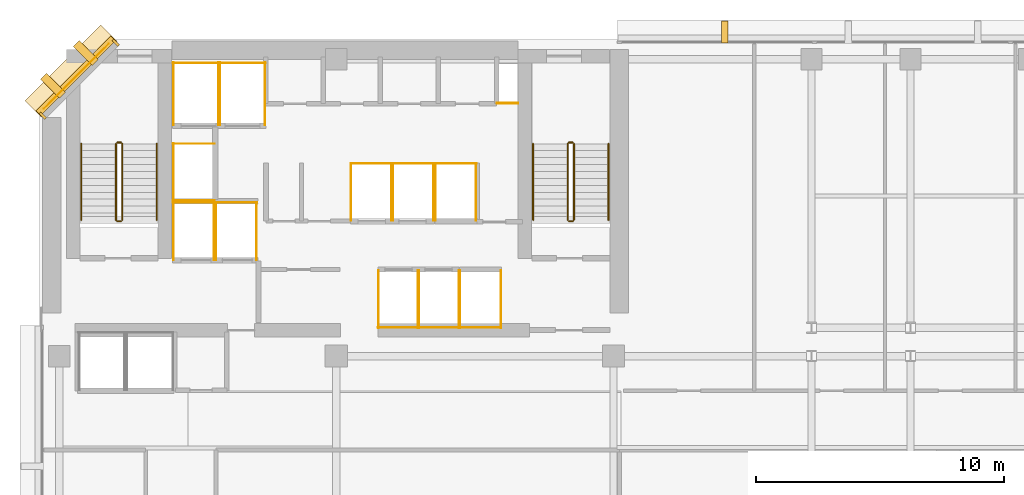
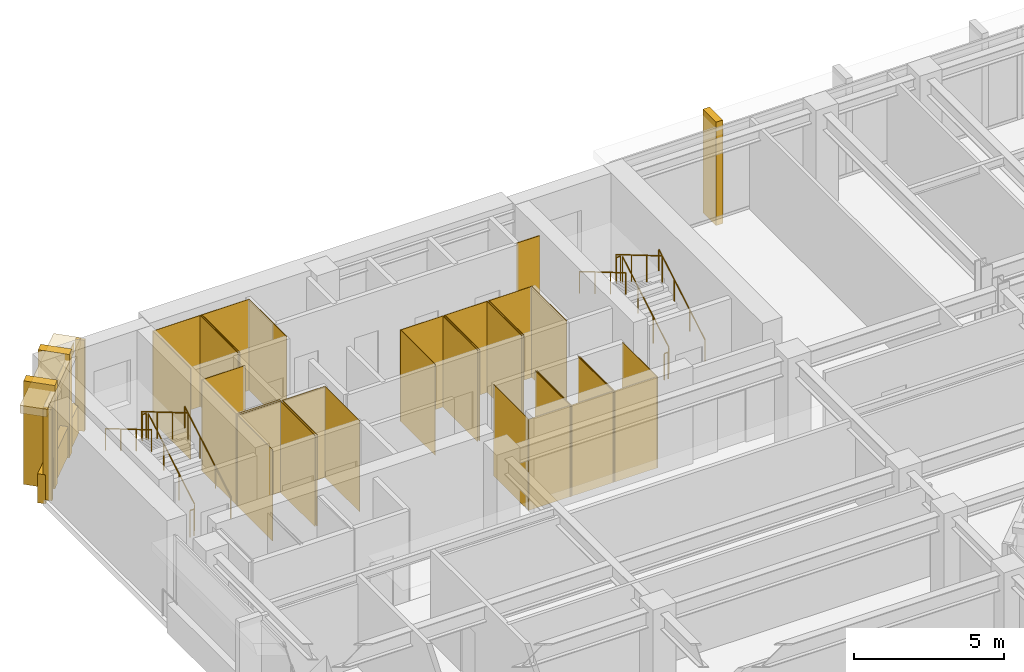
# One storey, part 10 of 11: 42 coverings, 12 railings.
"""IFC4 building model written with IfcOpenShell, lengths in metres."""

from ifc_helpers import new_model, si_unit, direction, frame, origin, origin_2d, place, context, subcontext, project, spatial, polyline, rectangle, circle, outline, extrude, material, layer, layer_set, type_object, element, save


model = new_model("IFC4")

# Units and contexts
model_context = context("Model", 3, precision=1e-05, world=origin(), true_north=direction((0.0, 1.0)))
body_context = subcontext(model_context, "Body", "Model", "MODEL_VIEW")
ifc_project = project(units=[si_unit("LENGTHUNIT", "METRE"), si_unit("AREAUNIT", "SQUARE_METRE"), si_unit("VOLUMEUNIT", "CUBIC_METRE"), si_unit("PLANEANGLEUNIT", "RADIAN"), si_unit("MASSUNIT", "GRAM", prefix="KILO")], contexts=[model_context])

# Site, building, storey
site_placement = place(None, origin())
site = spatial("IfcSite", under=ifc_project, at=site_placement, CompositionType="ELEMENT")
building_placement = place(site_placement, origin())
building = spatial("IfcBuilding", under=site, at=building_placement, Name="Kefirva Bronze Tower", CompositionType="ELEMENT")
storey_placement = place(building_placement, frame((0.0, 0.0, 187.43994140625)))
storey = spatial("IfcBuildingStorey", under=building, at=storey_placement, Name="L45", CompositionType="ELEMENT", Elevation=187.43994140625)

# Coverings
ifc_material_1 = material(Name="Bronze anodised aluminium", Category="aluminium")
ifc_layer_1 = layer(ifc_material_1, 0.02001953125, Name="Bronze anodised aluminium")
ifc_layer_set_1 = layer_set([ifc_layer_1], Name="Bronze anodised aluminium")
covering_type_1 = type_object("IfcCoveringType", Name="Anodised Bronze Spandrel Cladding 20mm", PredefinedType="CLADDING", material=ifc_layer_set_1)
covering_1_placement = place(storey_placement, frame((1.492919921875, 44.507080078125, 3.2900390625), z_axis=(0.0, 0.0, 1.0), x_axis=(-0.707106781187, -0.707106781187, 0.0)))
element("IfcCovering", 1, at=covering_1_placement, inside=storey, type_object=covering_type_1, Name="L45 Bronze Spandrel Cladding 5", PredefinedType="CLADDING", context=body_context, shape_type="SweptSolid", body=[
    extrude(rectangle(XDim=3.719482421875, YDim=0.02001953125, at=origin_2d()), origin(), (0.0, 0.0, 1.0), 0.39990234375),
])
for number, where, z_axis, x_axis, name in (
    (2, (3.08837890625, 45.862060546875, 0.0), (0.0, 0.0, 1.0), (-0.707106781187, -0.707106781187, 0.0), "L45 Facade Joint Closure Panel 5S"),
    (3, (0.137939453125, 42.91162109375, 0.0), (0.0, 0.0, 1.0), (-0.707106781187, -0.707106781187, 0.0), "L45 Facade Joint Closure Panel 5E"),
):
    element("IfcCovering", number, at=place(storey_placement, frame(where, z_axis=z_axis, x_axis=x_axis)), inside=storey, type_object=covering_type_1, Name=name, PredefinedType="CLADDING", context=body_context, shape_type="SweptSolid", body=[
        extrude(rectangle(XDim=0.10009765625, YDim=0.320068359375, at=origin_2d()), origin(), (0.0, 0.0, 1.0), 3.7099609375),
    ])
covering_2_placement = place(storey_placement, frame((1.4716796875, 44.5283203125, -0.15966796875), z_axis=(0.0, 0.0, 1.0), x_axis=(-0.707106781187, -0.707106781187, 0.0)))
element("IfcCovering", 4, at=covering_2_placement, inside=storey, type_object=covering_type_1, Name="L45 Streamline Horizontal Spandrel Band 9", PredefinedType="CLADDING", context=body_context, shape_type="SweptSolid", body=[
    extrude(rectangle(XDim=4.28271484375, YDim=0.280029296875, at=origin_2d()), origin(), (0.0, 0.0, 1.0), 1.179931640625),
])
covering_3_placement = place(storey_placement, origin())
element("IfcCovering", 5, at=covering_3_placement, inside=storey, type_object=covering_type_1, Name="L45 Lift FF1 Hoistway Liner N", PredefinedType="CLADDING", context=body_context, shape_type="SweptSolid", body=[
    extrude(outline(polyline([(5.39990234375, 39.389892578125), (7.080078125, 39.389892578125), (7.080078125, 39.409912109375), (5.39990234375, 39.409912109375), (5.39990234375, 39.389892578125)])), origin(), (0.0, 0.0, 1.0), 3.7099609375),
])
covering_4_placement = place(storey_placement, origin())
element("IfcCovering", 6, at=covering_4_placement, inside=storey, type_object=covering_type_1, Name="L45 Lift FF1 Hoistway Liner W", PredefinedType="CLADDING", context=body_context, shape_type="SweptSolid", body=[
    extrude(outline(polyline([(5.409912109375, 37.080078125), (5.429931640625, 37.080078125), (5.429931640625, 39.419921875), (5.409912109375, 39.419921875), (5.409912109375, 37.080078125)])), origin(), (0.0, 0.0, 1.0), 3.7099609375),
])
covering_5_placement = place(storey_placement, origin())
element("IfcCovering", 7, at=covering_5_placement, inside=storey, type_object=covering_type_1, Name="L45 Lift FF1 Hoistway Liner E", PredefinedType="CLADDING", context=body_context, shape_type="SweptSolid", body=[
    extrude(outline(polyline([(7.050048828125, 37.080078125), (7.070068359375, 37.080078125), (7.070068359375, 39.419921875), (7.050048828125, 39.419921875), (7.050048828125, 37.080078125)])), origin(), (0.0, 0.0, 1.0), 3.7099609375),
])
covering_6_placement = place(storey_placement, origin())
element("IfcCovering", 8, at=covering_6_placement, inside=storey, type_object=covering_type_1, Name="L45 Lift FF2 Hoistway Liner N", PredefinedType="CLADDING", context=body_context, shape_type="SweptSolid", body=[
    extrude(outline(polyline([(7.1201171875, 39.389892578125), (8.800048828125, 39.389892578125), (8.800048828125, 39.409912109375), (7.1201171875, 39.409912109375), (7.1201171875, 39.389892578125)])), origin(), (0.0, 0.0, 1.0), 3.7099609375),
])
covering_7_placement = place(storey_placement, origin())
element("IfcCovering", 9, at=covering_7_placement, inside=storey, type_object=covering_type_1, Name="L45 Lift FF2 Hoistway Liner W", PredefinedType="CLADDING", context=body_context, shape_type="SweptSolid", body=[
    extrude(outline(polyline([(7.1298828125, 37.080078125), (7.14990234375, 37.080078125), (7.14990234375, 39.419921875), (7.1298828125, 39.419921875), (7.1298828125, 37.080078125)])), origin(), (0.0, 0.0, 1.0), 3.7099609375),
])
covering_8_placement = place(storey_placement, origin())
element("IfcCovering", 10, at=covering_8_placement, inside=storey, type_object=covering_type_1, Name="L45 Lift FF2 Hoistway Liner E", PredefinedType="CLADDING", context=body_context, shape_type="SweptSolid", body=[
    extrude(outline(polyline([(8.77001953125, 37.080078125), (8.7900390625, 37.080078125), (8.7900390625, 39.419921875), (8.77001953125, 39.419921875), (8.77001953125, 37.080078125)])), origin(), (0.0, 0.0, 1.0), 3.7099609375),
])
covering_9_placement = place(storey_placement, origin())
element("IfcCovering", 11, at=covering_9_placement, inside=storey, type_object=covering_type_1, Name="L45 Lift SV1 Hoistway Liner N", PredefinedType="CLADDING", context=body_context, shape_type="SweptSolid", body=[
    extrude(outline(polyline([(5.39990234375, 45.0400390625), (7.260009765625, 45.0400390625), (7.260009765625, 45.06005859375), (5.39990234375, 45.06005859375), (5.39990234375, 45.0400390625)])), origin(), (0.0, 0.0, 1.0), 3.7099609375),
])
covering_10_placement = place(storey_placement, origin())
element("IfcCovering", 12, at=covering_10_placement, inside=storey, type_object=covering_type_1, Name="L45 Lift SV1 Hoistway Liner W", PredefinedType="CLADDING", context=body_context, shape_type="SweptSolid", body=[
    extrude(outline(polyline([(5.409912109375, 42.530029296875), (5.429931640625, 42.530029296875), (5.429931640625, 45.070068359375), (5.409912109375, 45.070068359375), (5.409912109375, 42.530029296875)])), origin(), (0.0, 0.0, 1.0), 3.7099609375),
])
covering_11_placement = place(storey_placement, origin())
element("IfcCovering", 13, at=covering_11_placement, inside=storey, type_object=covering_type_1, Name="L45 Lift SV1 Hoistway Liner E", PredefinedType="CLADDING", context=body_context, shape_type="SweptSolid", body=[
    extrude(outline(polyline([(7.22998046875, 42.530029296875), (7.25, 42.530029296875), (7.25, 45.070068359375), (7.22998046875, 45.070068359375), (7.22998046875, 42.530029296875)])), origin(), (0.0, 0.0, 1.0), 3.7099609375),
])
covering_12_placement = place(storey_placement, origin())
element("IfcCovering", 14, at=covering_12_placement, inside=storey, type_object=covering_type_1, Name="L45 Lift SV2 Hoistway Liner N", PredefinedType="CLADDING", context=body_context, shape_type="SweptSolid", body=[
    extrude(outline(polyline([(7.280029296875, 45.0400390625), (9.139892578125, 45.0400390625), (9.139892578125, 45.06005859375), (7.280029296875, 45.06005859375), (7.280029296875, 45.0400390625)])), origin(), (0.0, 0.0, 1.0), 3.7099609375),
])
covering_13_placement = place(storey_placement, origin())
element("IfcCovering", 15, at=covering_13_placement, inside=storey, type_object=covering_type_1, Name="L45 Lift SV2 Hoistway Liner W", PredefinedType="CLADDING", context=body_context, shape_type="SweptSolid", body=[
    extrude(outline(polyline([(7.2900390625, 42.530029296875), (7.31005859375, 42.530029296875), (7.31005859375, 45.070068359375), (7.2900390625, 45.070068359375), (7.2900390625, 42.530029296875)])), origin(), (0.0, 0.0, 1.0), 3.7099609375),
])
covering_14_placement = place(storey_placement, origin())
element("IfcCovering", 16, at=covering_14_placement, inside=storey, type_object=covering_type_1, Name="L45 Lift SV2 Hoistway Liner E", PredefinedType="CLADDING", context=body_context, shape_type="SweptSolid", body=[
    extrude(outline(polyline([(9.110107421875, 42.530029296875), (9.1298828125, 42.530029296875), (9.1298828125, 45.070068359375), (9.110107421875, 45.070068359375), (9.110107421875, 42.530029296875)])), origin(), (0.0, 0.0, 1.0), 3.7099609375),
])
covering_15_placement = place(storey_placement, origin())
element("IfcCovering", 17, at=covering_15_placement, inside=storey, type_object=covering_type_1, Name="L45 Lift MP1 Hoistway Liner S", PredefinedType="CLADDING", context=body_context, shape_type="SweptSolid", body=[
    extrude(outline(polyline([(13.679931640625, 34.340087890625), (15.320068359375, 34.340087890625), (15.320068359375, 34.360107421875), (13.679931640625, 34.360107421875), (13.679931640625, 34.340087890625)])), origin(), (0.0, 0.0, 1.0), 3.7099609375),
])
covering_16_placement = place(storey_placement, origin())
element("IfcCovering", 18, at=covering_16_placement, inside=storey, type_object=covering_type_1, Name="L45 Lift MP1 Hoistway Liner W", PredefinedType="CLADDING", context=body_context, shape_type="SweptSolid", body=[
    extrude(outline(polyline([(13.68994140625, 34.330078125), (13.7099609375, 34.330078125), (13.7099609375, 36.669921875), (13.68994140625, 36.669921875), (13.68994140625, 34.330078125)])), origin(), (0.0, 0.0, 1.0), 3.7099609375),
])
covering_17_placement = place(storey_placement, origin())
element("IfcCovering", 19, at=covering_17_placement, inside=storey, type_object=covering_type_1, Name="L45 Lift MP1 Hoistway Liner E", PredefinedType="CLADDING", context=body_context, shape_type="SweptSolid", body=[
    extrude(outline(polyline([(15.2900390625, 34.330078125), (15.31005859375, 34.330078125), (15.31005859375, 36.669921875), (15.2900390625, 36.669921875), (15.2900390625, 34.330078125)])), origin(), (0.0, 0.0, 1.0), 3.7099609375),
])
covering_18_placement = place(storey_placement, origin())
element("IfcCovering", 20, at=covering_18_placement, inside=storey, type_object=covering_type_1, Name="L45 Lift MP2 Hoistway Liner S", PredefinedType="CLADDING", context=body_context, shape_type="SweptSolid", body=[
    extrude(outline(polyline([(15.330078125, 34.340087890625), (16.969970703125, 34.340087890625), (16.969970703125, 34.360107421875), (15.330078125, 34.360107421875), (15.330078125, 34.340087890625)])), origin(), (0.0, 0.0, 1.0), 3.7099609375),
])
covering_19_placement = place(storey_placement, origin())
element("IfcCovering", 21, at=covering_19_placement, inside=storey, type_object=covering_type_1, Name="L45 Lift MP2 Hoistway Liner W", PredefinedType="CLADDING", context=body_context, shape_type="SweptSolid", body=[
    extrude(outline(polyline([(15.340087890625, 34.330078125), (15.360107421875, 34.330078125), (15.360107421875, 36.669921875), (15.340087890625, 36.669921875), (15.340087890625, 34.330078125)])), origin(), (0.0, 0.0, 1.0), 3.7099609375),
])
covering_20_placement = place(storey_placement, origin())
element("IfcCovering", 22, at=covering_20_placement, inside=storey, type_object=covering_type_1, Name="L45 Lift MP2 Hoistway Liner E", PredefinedType="CLADDING", context=body_context, shape_type="SweptSolid", body=[
    extrude(outline(polyline([(16.93994140625, 34.330078125), (16.9599609375, 34.330078125), (16.9599609375, 36.669921875), (16.93994140625, 36.669921875), (16.93994140625, 34.330078125)])), origin(), (0.0, 0.0, 1.0), 3.7099609375),
])
covering_21_placement = place(storey_placement, origin())
element("IfcCovering", 23, at=covering_21_placement, inside=storey, type_object=covering_type_1, Name="L45 Lift MP3 Hoistway Liner N", PredefinedType="CLADDING", context=body_context, shape_type="SweptSolid", body=[
    extrude(outline(polyline([(12.580078125, 40.969970703125), (14.25, 40.969970703125), (14.25, 40.989990234375), (12.580078125, 40.989990234375), (12.580078125, 40.969970703125)])), origin(), (0.0, 0.0, 1.0), 3.7099609375),
])
covering_22_placement = place(storey_placement, origin())
element("IfcCovering", 24, at=covering_22_placement, inside=storey, type_object=covering_type_1, Name="L45 Lift MP3 Hoistway Liner W", PredefinedType="CLADDING", context=body_context, shape_type="SweptSolid", body=[
    extrude(outline(polyline([(12.590087890625, 38.659912109375), (12.610107421875, 38.659912109375), (12.610107421875, 41.0), (12.590087890625, 41.0), (12.590087890625, 38.659912109375)])), origin(), (0.0, 0.0, 1.0), 3.7099609375),
])
covering_23_placement = place(storey_placement, origin())
element("IfcCovering", 25, at=covering_23_placement, inside=storey, type_object=covering_type_1, Name="L45 Lift MP3 Hoistway Liner E", PredefinedType="CLADDING", context=body_context, shape_type="SweptSolid", body=[
    extrude(outline(polyline([(14.219970703125, 38.659912109375), (14.239990234375, 38.659912109375), (14.239990234375, 41.0), (14.219970703125, 41.0), (14.219970703125, 38.659912109375)])), origin(), (0.0, 0.0, 1.0), 3.7099609375),
])
covering_24_placement = place(storey_placement, origin())
element("IfcCovering", 26, at=covering_24_placement, inside=storey, type_object=covering_type_1, Name="L45 Lift MP4 Hoistway Liner N", PredefinedType="CLADDING", context=body_context, shape_type="SweptSolid", body=[
    extrude(outline(polyline([(14.280029296875, 40.969970703125), (15.949951171875, 40.969970703125), (15.949951171875, 40.989990234375), (14.280029296875, 40.989990234375), (14.280029296875, 40.969970703125)])), origin(), (0.0, 0.0, 1.0), 3.7099609375),
])
covering_25_placement = place(storey_placement, origin())
element("IfcCovering", 27, at=covering_25_placement, inside=storey, type_object=covering_type_1, Name="L45 Lift MP4 Hoistway Liner W", PredefinedType="CLADDING", context=body_context, shape_type="SweptSolid", body=[
    extrude(outline(polyline([(14.2900390625, 38.659912109375), (14.31005859375, 38.659912109375), (14.31005859375, 41.0), (14.2900390625, 41.0), (14.2900390625, 38.659912109375)])), origin(), (0.0, 0.0, 1.0), 3.7099609375),
])
covering_26_placement = place(storey_placement, origin())
element("IfcCovering", 28, at=covering_26_placement, inside=storey, type_object=covering_type_1, Name="L45 Lift MP4 Hoistway Liner E", PredefinedType="CLADDING", context=body_context, shape_type="SweptSolid", body=[
    extrude(outline(polyline([(15.919921875, 38.659912109375), (15.93994140625, 38.659912109375), (15.93994140625, 41.0), (15.919921875, 41.0), (15.919921875, 38.659912109375)])), origin(), (0.0, 0.0, 1.0), 3.7099609375),
])
covering_27_placement = place(storey_placement, origin())
element("IfcCovering", 29, at=covering_27_placement, inside=storey, type_object=covering_type_1, Name="L45 Lift HP1 Hoistway Liner S", PredefinedType="CLADDING", context=body_context, shape_type="SweptSolid", body=[
    extrude(outline(polyline([(16.97998046875, 34.340087890625), (18.669921875, 34.340087890625), (18.669921875, 34.360107421875), (16.97998046875, 34.360107421875), (16.97998046875, 34.340087890625)])), origin(), (0.0, 0.0, 1.0), 3.7099609375),
])
covering_28_placement = place(storey_placement, origin())
element("IfcCovering", 30, at=covering_28_placement, inside=storey, type_object=covering_type_1, Name="L45 Lift HP1 Hoistway Liner W", PredefinedType="CLADDING", context=body_context, shape_type="SweptSolid", body=[
    extrude(outline(polyline([(16.989990234375, 34.330078125), (17.010009765625, 34.330078125), (17.010009765625, 36.669921875), (16.989990234375, 36.669921875), (16.989990234375, 34.330078125)])), origin(), (0.0, 0.0, 1.0), 3.7099609375),
])
covering_29_placement = place(storey_placement, origin())
element("IfcCovering", 31, at=covering_29_placement, inside=storey, type_object=covering_type_1, Name="L45 Lift HP1 Hoistway Liner E", PredefinedType="CLADDING", context=body_context, shape_type="SweptSolid", body=[
    extrude(outline(polyline([(18.639892578125, 34.330078125), (18.659912109375, 34.330078125), (18.659912109375, 36.669921875), (18.639892578125, 36.669921875), (18.639892578125, 34.330078125)])), origin(), (0.0, 0.0, 1.0), 3.7099609375),
])
covering_30_placement = place(storey_placement, origin())
element("IfcCovering", 32, at=covering_30_placement, inside=storey, type_object=covering_type_1, Name="L45 Lift HP2 Hoistway Liner N", PredefinedType="CLADDING", context=body_context, shape_type="SweptSolid", body=[
    extrude(outline(polyline([(15.97998046875, 40.969970703125), (17.669921875, 40.969970703125), (17.669921875, 40.989990234375), (15.97998046875, 40.989990234375), (15.97998046875, 40.969970703125)])), origin(), (0.0, 0.0, 1.0), 3.7099609375),
])
covering_31_placement = place(storey_placement, origin())
element("IfcCovering", 33, at=covering_31_placement, inside=storey, type_object=covering_type_1, Name="L45 Lift HP2 Hoistway Liner W", PredefinedType="CLADDING", context=body_context, shape_type="SweptSolid", body=[
    extrude(outline(polyline([(15.989990234375, 38.659912109375), (16.010009765625, 38.659912109375), (16.010009765625, 41.0), (15.989990234375, 41.0), (15.989990234375, 38.659912109375)])), origin(), (0.0, 0.0, 1.0), 3.7099609375),
])
covering_32_placement = place(storey_placement, origin())
element("IfcCovering", 34, at=covering_32_placement, inside=storey, type_object=covering_type_1, Name="L45 Lift HP2 Hoistway Liner E", PredefinedType="CLADDING", context=body_context, shape_type="SweptSolid", body=[
    extrude(outline(polyline([(17.639892578125, 38.659912109375), (17.659912109375, 38.659912109375), (17.659912109375, 41.0), (17.639892578125, 41.0), (17.639892578125, 38.659912109375)])), origin(), (0.0, 0.0, 1.0), 3.7099609375),
])
covering_33_placement = place(storey_placement, origin())
element("IfcCovering", 35, at=covering_33_placement, inside=storey, type_object=covering_type_1, Name="L45 Lift HP3 Hoistway Liner N", PredefinedType="CLADDING", context=body_context, shape_type="SweptSolid", body=[
    extrude(outline(polyline([(5.39990234375, 41.77001953125), (7.080078125, 41.77001953125), (7.080078125, 41.7900390625), (5.39990234375, 41.7900390625), (5.39990234375, 41.77001953125)])), origin(), (0.0, 0.0, 1.0), 3.7099609375),
])
covering_34_placement = place(storey_placement, origin())
element("IfcCovering", 36, at=covering_34_placement, inside=storey, type_object=covering_type_1, Name="L45 Lift HP3 Hoistway Liner S", PredefinedType="CLADDING", context=body_context, shape_type="SweptSolid", body=[
    extrude(outline(polyline([(5.39990234375, 39.469970703125), (7.080078125, 39.469970703125), (7.080078125, 39.489990234375), (5.39990234375, 39.489990234375), (5.39990234375, 39.469970703125)])), origin(), (0.0, 0.0, 1.0), 3.7099609375),
])
covering_35_placement = place(storey_placement, origin())
element("IfcCovering", 37, at=covering_35_placement, inside=storey, type_object=covering_type_1, Name="L45 Lift HP3 Hoistway Liner W", PredefinedType="CLADDING", context=body_context, shape_type="SweptSolid", body=[
    extrude(outline(polyline([(5.409912109375, 39.4599609375), (5.429931640625, 39.4599609375), (5.429931640625, 41.800048828125), (5.409912109375, 41.800048828125), (5.409912109375, 39.4599609375)])), origin(), (0.0, 0.0, 1.0), 3.7099609375),
])
covering_36_placement = place(storey_placement, origin())
element("IfcCovering", 38, at=covering_36_placement, inside=storey, type_object=covering_type_1, Name="L45 Core MEP Riser Shaft Liner South", PredefinedType="CLADDING", context=body_context, shape_type="SweptSolid", body=[
    extrude(outline(polyline([(18.47998046875, 43.39990234375), (19.360107421875, 43.39990234375), (19.360107421875, 43.429931640625), (18.47998046875, 43.429931640625), (18.47998046875, 43.39990234375)])), origin(), (0.0, 0.0, 1.0), 3.7099609375),
])

# Railings
ifc_material_2 = material(Name="Stainless steel 316", Category="steel")
railing_type_1 = type_object("IfcRailingType", Name="Interior Stair Guardrail 1100mm", PredefinedType="GUARDRAIL", material=ifc_material_2)
railing_1_placement = place(storey_placement, frame((3.35009765625, 38.699951171875, 0.1650390625)))
element("IfcRailing", 39, at=railing_1_placement, inside=storey, type_object=railing_type_1, Name="L45 ST-1 stair guard 1", PredefinedType="GUARDRAIL", context=body_context, shape_type="SweptSolid", body=[
    extrude(circle(Radius=0.02392578125, at=origin_2d()), frame((0.0, 0.0, 1.076171875), z_axis=(0.0, 0.861551262678, 0.507670583921), x_axis=(-1.0, 0.0, 0.0)), (0.0, 0.0, 1.0), 3.574951171875),
    extrude(circle(Radius=0.02099609375, at=origin_2d()), origin(), (0.0, 0.0, 1.0), 1.052001953125),
    extrude(circle(Radius=0.02099609375, at=origin_2d()), frame((0.0, 1.026611328125, 0.60498046875)), (0.0, 0.0, 1.0), 1.052001953125),
    extrude(circle(Radius=0.02099609375, at=origin_2d()), frame((0.0, 2.053466796875, 1.2099609375)), (0.0, 0.0, 1.0), 1.052001953125),
    extrude(circle(Radius=0.02099609375, at=origin_2d()), frame((0.0, 3.080078125, 1.81494140625)), (0.0, 0.0, 1.0), 1.052001953125),
])
railing_2_placement = place(storey_placement, frame((3.300048828125, 41.830078125, 1.97998046875)))
element("IfcRailing", 40, at=railing_2_placement, inside=storey, type_object=railing_type_1, Name="L45 ST-1 stair guard 2", PredefinedType="GUARDRAIL", context=body_context, shape_type="SweptSolid", body=[
    extrude(circle(Radius=0.02392578125, at=origin_2d()), frame((0.0, 0.0, 1.076171875), z_axis=(-1.0, 0.0, 0.0), x_axis=(0.0, -1.0, 0.0)), (0.0, 0.0, 1.0), 0.150146484375),
    extrude(circle(Radius=0.02099609375, at=origin_2d()), origin(), (0.0, 0.0, 1.0), 1.052001953125),
    extrude(circle(Radius=0.02099609375, at=origin_2d()), frame((-0.150146484375, 0.0, 0.0)), (0.0, 0.0, 1.0), 1.052001953125),
])
railing_3_placement = place(storey_placement, frame((3.10009765625, 41.780029296875, 2.14501953125)))
element("IfcRailing", 41, at=railing_3_placement, inside=storey, type_object=railing_type_1, Name="L45 ST-1 stair guard 3", PredefinedType="GUARDRAIL", context=body_context, shape_type="SweptSolid", body=[
    extrude(circle(Radius=0.02392578125, at=origin_2d()), frame((0.0, 0.0, 1.076171875), z_axis=(0.0, -0.861551262678, 0.507670583921), x_axis=(1.0, 0.0, 0.0)), (0.0, 0.0, 1.0), 3.574951171875),
    extrude(circle(Radius=0.02099609375, at=origin_2d()), origin(), (0.0, 0.0, 1.0), 1.052001953125),
    extrude(circle(Radius=0.02099609375, at=origin_2d()), frame((0.0, -1.026611328125, 0.60498046875)), (0.0, 0.0, 1.0), 1.052001953125),
    extrude(circle(Radius=0.02099609375, at=origin_2d()), frame((0.0, -2.053466796875, 1.2099609375)), (0.0, 0.0, 1.0), 1.052001953125),
    extrude(circle(Radius=0.02099609375, at=origin_2d()), frame((0.0, -3.080078125, 1.81494140625)), (0.0, 0.0, 1.0), 1.052001953125),
])
railing_4_placement = place(storey_placement, frame((3.300048828125, 38.64990234375, 0.0)))
element("IfcRailing", 42, at=railing_4_placement, inside=storey, type_object=railing_type_1, Name="L45 ST-1 stair guard 4", PredefinedType="GUARDRAIL", context=body_context, shape_type="SweptSolid", body=[
    extrude(circle(Radius=0.02392578125, at=origin_2d()), frame((0.0, 0.0, 1.076171875), z_axis=(-1.0, 0.0, 0.0), x_axis=(0.0, -1.0, 0.0)), (0.0, 0.0, 1.0), 0.150146484375),
    extrude(circle(Radius=0.02099609375, at=origin_2d()), origin(), (0.0, 0.0, 1.0), 1.052001953125),
    extrude(circle(Radius=0.02099609375, at=origin_2d()), frame((-0.150146484375, 0.0, 0.0)), (0.0, 0.0, 1.0), 1.052001953125),
])
railing_5_placement = place(storey_placement, frame((21.60009765625, 38.699951171875, 0.1650390625)))
element("IfcRailing", 43, at=railing_5_placement, inside=storey, type_object=railing_type_1, Name="L45 ST-2 stair guard 1", PredefinedType="GUARDRAIL", context=body_context, shape_type="SweptSolid", body=[
    extrude(circle(Radius=0.02392578125, at=origin_2d()), frame((0.0, 0.0, 1.076171875), z_axis=(0.0, 0.861551262678, 0.507670583921), x_axis=(-1.0, 0.0, 0.0)), (0.0, 0.0, 1.0), 3.574951171875),
    extrude(circle(Radius=0.02099609375, at=origin_2d()), origin(), (0.0, 0.0, 1.0), 1.052001953125),
    extrude(circle(Radius=0.02099609375, at=origin_2d()), frame((0.0, 1.026611328125, 0.60498046875)), (0.0, 0.0, 1.0), 1.052001953125),
    extrude(circle(Radius=0.02099609375, at=origin_2d()), frame((0.0, 2.053466796875, 1.2099609375)), (0.0, 0.0, 1.0), 1.052001953125),
    extrude(circle(Radius=0.02099609375, at=origin_2d()), frame((0.0, 3.080078125, 1.81494140625)), (0.0, 0.0, 1.0), 1.052001953125),
])
railing_6_placement = place(storey_placement, frame((21.550048828125, 41.830078125, 1.97998046875)))
element("IfcRailing", 44, at=railing_6_placement, inside=storey, type_object=railing_type_1, Name="L45 ST-2 stair guard 2", PredefinedType="GUARDRAIL", context=body_context, shape_type="SweptSolid", body=[
    extrude(circle(Radius=0.02392578125, at=origin_2d()), frame((0.0, 0.0, 1.076171875), z_axis=(-1.0, 0.0, 0.0), x_axis=(0.0, -1.0, 0.0)), (0.0, 0.0, 1.0), 0.150146484375),
    extrude(circle(Radius=0.02099609375, at=origin_2d()), origin(), (0.0, 0.0, 1.0), 1.052001953125),
    extrude(circle(Radius=0.02099609375, at=origin_2d()), frame((-0.150146484375, 0.0, 0.0)), (0.0, 0.0, 1.0), 1.052001953125),
])
railing_7_placement = place(storey_placement, frame((21.35009765625, 41.780029296875, 2.14501953125)))
element("IfcRailing", 45, at=railing_7_placement, inside=storey, type_object=railing_type_1, Name="L45 ST-2 stair guard 3", PredefinedType="GUARDRAIL", context=body_context, shape_type="SweptSolid", body=[
    extrude(circle(Radius=0.02392578125, at=origin_2d()), frame((0.0, 0.0, 1.076171875), z_axis=(0.0, -0.861551262678, 0.507670583921), x_axis=(1.0, 0.0, 0.0)), (0.0, 0.0, 1.0), 3.574951171875),
    extrude(circle(Radius=0.02099609375, at=origin_2d()), origin(), (0.0, 0.0, 1.0), 1.052001953125),
    extrude(circle(Radius=0.02099609375, at=origin_2d()), frame((0.0, -1.026611328125, 0.60498046875)), (0.0, 0.0, 1.0), 1.052001953125),
    extrude(circle(Radius=0.02099609375, at=origin_2d()), frame((0.0, -2.053466796875, 1.2099609375)), (0.0, 0.0, 1.0), 1.052001953125),
    extrude(circle(Radius=0.02099609375, at=origin_2d()), frame((0.0, -3.080078125, 1.81494140625)), (0.0, 0.0, 1.0), 1.052001953125),
])
railing_8_placement = place(storey_placement, frame((21.550048828125, 38.64990234375, 0.0)))
element("IfcRailing", 46, at=railing_8_placement, inside=storey, type_object=railing_type_1, Name="L45 ST-2 stair guard 4", PredefinedType="GUARDRAIL", context=body_context, shape_type="SweptSolid", body=[
    extrude(circle(Radius=0.02392578125, at=origin_2d()), frame((0.0, 0.0, 1.076171875), z_axis=(-1.0, 0.0, 0.0), x_axis=(0.0, -1.0, 0.0)), (0.0, 0.0, 1.0), 0.150146484375),
    extrude(circle(Radius=0.02099609375, at=origin_2d()), origin(), (0.0, 0.0, 1.0), 1.052001953125),
    extrude(circle(Radius=0.02099609375, at=origin_2d()), frame((-0.150146484375, 0.0, 0.0)), (0.0, 0.0, 1.0), 1.052001953125),
])
railing_type_2 = type_object("IfcRailingType", Name="Stair Pitch Handrail 900mm", PredefinedType="HANDRAIL", material=ifc_material_2)
railing_9_placement = place(storey_placement, frame((4.75, 38.699951171875, 0.1650390625)))
element("IfcRailing", 47, at=railing_9_placement, inside=storey, type_object=railing_type_2, Name="L45 ST-1 stair handrail 1", PredefinedType="HANDRAIL", context=body_context, shape_type="SweptSolid", body=[
    extrude(circle(Radius=0.02392578125, at=origin_2d()), frame((0.0, 0.0, 0.8759765625), z_axis=(0.0, 0.861551262678, 0.507670583921), x_axis=(-1.0, 0.0, 0.0)), (0.0, 0.0, 1.0), 3.574951171875),
    extrude(circle(Radius=0.02099609375, at=origin_2d()), origin(), (0.0, 0.0, 1.0), 0.851806640625),
    extrude(circle(Radius=0.02099609375, at=origin_2d()), frame((0.0, 1.026611328125, 0.60498046875)), (0.0, 0.0, 1.0), 0.851806640625),
    extrude(circle(Radius=0.02099609375, at=origin_2d()), frame((0.0, 2.053466796875, 1.2099609375)), (0.0, 0.0, 1.0), 0.851806640625),
    extrude(circle(Radius=0.02099609375, at=origin_2d()), frame((0.0, 3.080078125, 1.81494140625)), (0.0, 0.0, 1.0), 0.851806640625),
])
railing_10_placement = place(storey_placement, frame((1.699951171875, 41.780029296875, 2.14501953125)))
element("IfcRailing", 48, at=railing_10_placement, inside=storey, type_object=railing_type_2, Name="L45 ST-1 stair handrail 2", PredefinedType="HANDRAIL", context=body_context, shape_type="SweptSolid", body=[
    extrude(circle(Radius=0.02392578125, at=origin_2d()), frame((0.0, 0.0, 0.8759765625), z_axis=(0.0, -0.861551262678, 0.507670583921), x_axis=(1.0, 0.0, 0.0)), (0.0, 0.0, 1.0), 3.574951171875),
    extrude(circle(Radius=0.02099609375, at=origin_2d()), origin(), (0.0, 0.0, 1.0), 0.851806640625),
    extrude(circle(Radius=0.02099609375, at=origin_2d()), frame((0.0, -1.026611328125, 0.60498046875)), (0.0, 0.0, 1.0), 0.851806640625),
    extrude(circle(Radius=0.02099609375, at=origin_2d()), frame((0.0, -2.053466796875, 1.2099609375)), (0.0, 0.0, 1.0), 0.851806640625),
    extrude(circle(Radius=0.02099609375, at=origin_2d()), frame((0.0, -3.080078125, 1.81494140625)), (0.0, 0.0, 1.0), 0.851806640625),
])
railing_11_placement = place(storey_placement, frame((23.0, 38.699951171875, 0.1650390625)))
element("IfcRailing", 49, at=railing_11_placement, inside=storey, type_object=railing_type_2, Name="L45 ST-2 stair handrail 1", PredefinedType="HANDRAIL", context=body_context, shape_type="SweptSolid", body=[
    extrude(circle(Radius=0.02392578125, at=origin_2d()), frame((0.0, 0.0, 0.8759765625), z_axis=(0.0, 0.861551262678, 0.507670583921), x_axis=(-1.0, 0.0, 0.0)), (0.0, 0.0, 1.0), 3.574951171875),
    extrude(circle(Radius=0.02099609375, at=origin_2d()), origin(), (0.0, 0.0, 1.0), 0.851806640625),
    extrude(circle(Radius=0.02099609375, at=origin_2d()), frame((0.0, 1.026611328125, 0.60498046875)), (0.0, 0.0, 1.0), 0.851806640625),
    extrude(circle(Radius=0.02099609375, at=origin_2d()), frame((0.0, 2.053466796875, 1.2099609375)), (0.0, 0.0, 1.0), 0.851806640625),
    extrude(circle(Radius=0.02099609375, at=origin_2d()), frame((0.0, 3.080078125, 1.81494140625)), (0.0, 0.0, 1.0), 0.851806640625),
])
railing_12_placement = place(storey_placement, frame((19.949951171875, 41.780029296875, 2.14501953125)))
element("IfcRailing", 50, at=railing_12_placement, inside=storey, type_object=railing_type_2, Name="L45 ST-2 stair handrail 2", PredefinedType="HANDRAIL", context=body_context, shape_type="SweptSolid", body=[
    extrude(circle(Radius=0.02392578125, at=origin_2d()), frame((0.0, 0.0, 0.8759765625), z_axis=(0.0, -0.861551262678, 0.507670583921), x_axis=(1.0, 0.0, 0.0)), (0.0, 0.0, 1.0), 3.574951171875),
    extrude(circle(Radius=0.02099609375, at=origin_2d()), origin(), (0.0, 0.0, 1.0), 0.851806640625),
    extrude(circle(Radius=0.02099609375, at=origin_2d()), frame((0.0, -1.026611328125, 0.60498046875)), (0.0, 0.0, 1.0), 0.851806640625),
    extrude(circle(Radius=0.02099609375, at=origin_2d()), frame((0.0, -2.053466796875, 1.2099609375)), (0.0, 0.0, 1.0), 0.851806640625),
    extrude(circle(Radius=0.02099609375, at=origin_2d()), frame((0.0, -3.080078125, 1.81494140625)), (0.0, 0.0, 1.0), 0.851806640625),
])

# Coverings
ifc_layer_2 = layer(ifc_material_1, 0.179931640625, Name="Bronze anodised aluminium")
ifc_layer_set_2 = layer_set([ifc_layer_2], Name="Bronze anodised aluminium")
covering_type_2 = type_object("IfcCoveringType", Name="Streamline Bronze Sunshade Eyebrow Cladding 180mm", PredefinedType="CLADDING", material=ifc_layer_set_2)
covering_37_placement = place(storey_placement, frame((1.28076171875, 44.71923828125, 3.39013671875), z_axis=(0.0, 0.0, 1.0), x_axis=(-0.707106781187, -0.707106781187, 0.0)))
element("IfcCovering", 51, at=covering_37_placement, inside=storey, type_object=covering_type_2, Name="L45 Streamline Bronze Sunshade Eyebrow 9", PredefinedType="CLADDING", context=body_context, shape_type="SweptSolid", body=[
    extrude(rectangle(XDim=4.322509765625, YDim=0.93994140625, at=origin_2d()), origin(), (0.0, 0.0, 1.0), 0.320068359375),
])
ifc_layer_3 = layer(ifc_material_1, 0.260009765625, Name="Bronze anodised aluminium")
ifc_layer_set_3 = layer_set([ifc_layer_3], Name="Bronze anodised aluminium")
covering_type_3 = type_object("IfcCoveringType", Name="Unbroken Bronze Buttress Fin Cladding 260mm", PredefinedType="CLADDING", material=ifc_layer_set_3)
covering_38_placement = place(storey_placement, frame((27.68798828125, 46.300048828125, -0.25), z_axis=(0.0, 0.0, 1.0), x_axis=(-1.0, 0.0, 0.0)))
element("IfcCovering", 52, at=covering_38_placement, inside=storey, type_object=covering_type_3, Name="L45 Unbroken Vertical Bronze Rib Fin 20", PredefinedType="CLADDING", context=body_context, shape_type="SweptSolid", body=[
    extrude(rectangle(XDim=0.260009765625, YDim=0.8798828125, at=origin_2d()), origin(), (0.0, 0.0, 1.0), 4.2099609375),
])
for number, where, z_axis, x_axis, name in (
    (53, (1.877197265625, 45.44287109375, -0.25), (0.0, 0.0, 1.0), (-0.707106781187, -0.707106781187, 0.0), "L45 Chamfered Corner Buttress Fin Cladding 21"),
    (54, (0.55712890625, 44.122802734375, -0.25), (0.0, 0.0, 1.0), (-0.707106781187, -0.707106781187, 0.0), "L45 Chamfered Corner Buttress Fin Cladding 22"),
):
    element("IfcCovering", number, at=place(storey_placement, frame(where, z_axis=z_axis, x_axis=x_axis)), inside=storey, type_object=covering_type_3, Name=name, PredefinedType="CLADDING", context=body_context, shape_type="SweptSolid", body=[
        extrude(rectangle(XDim=0.340087890625, YDim=1.080078125, at=origin_2d()), origin(), (0.0, 0.0, 1.0), 4.2099609375),
    ])

save(model, "model.ifc")
